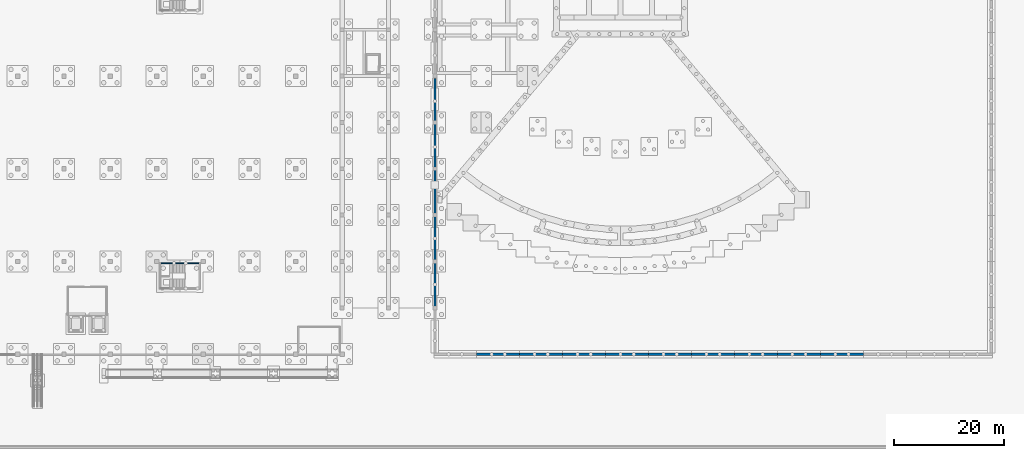
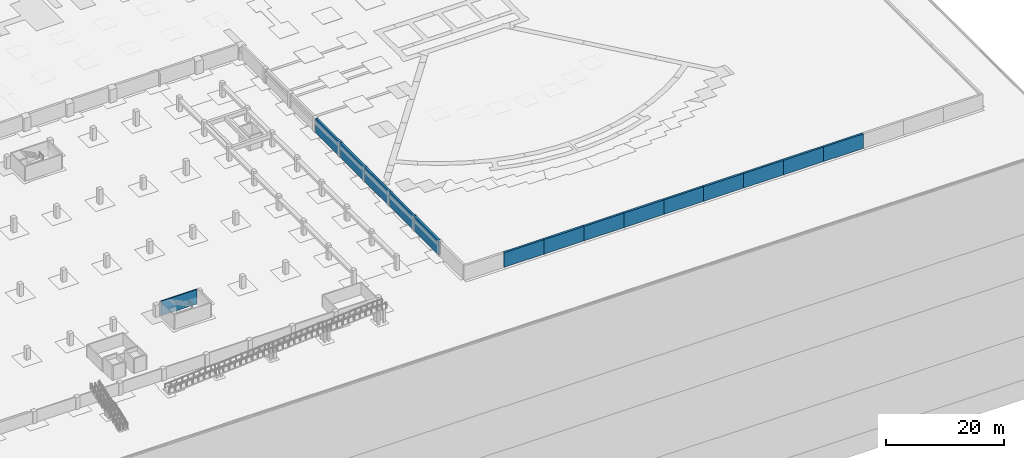
# One storey, part 39 of 67: 15 walls.
"""IFC4 building model written with IfcOpenShell, lengths in metres."""

from ifc_helpers import new_model, si_unit, direction, frame, frame_2d, origin, place, context, subcontext, project, spatial, rectangle, extrude, material, layer, layer_set, type_object, element, save


model = new_model("IFC4")

# Units and contexts
model_context = context("Model", 3, precision=1e-05, world=origin(), true_north=direction((0.0, 1.0)))
body_context = subcontext(model_context, "Body", "Model", "MODEL_VIEW")
ifc_project = project(units=[si_unit("LENGTHUNIT", "METRE"), si_unit("AREAUNIT", "SQUARE_METRE"), si_unit("VOLUMEUNIT", "CUBIC_METRE"), si_unit("PLANEANGLEUNIT", "RADIAN"), si_unit("MASSUNIT", "GRAM", prefix="KILO")], contexts=[model_context])

# Site, building, storey
site_placement = place(None, origin())
site = spatial("IfcSite", under=ifc_project, at=site_placement, CompositionType="ELEMENT")
building_placement = place(site_placement, origin())
building = spatial("IfcBuilding", under=site, at=building_placement, Name="Rain Tree Exposition and Congress Centre", CompositionType="ELEMENT")
storey_placement = place(building_placement, frame((0.0, 0.0, -3.0)))
storey = spatial("IfcBuildingStorey", under=building, at=storey_placement, Name="B1", CompositionType="ELEMENT", Elevation=-3.0)

# Walls
ifc_material_1 = material(Name="Concrete C40/50", Category="concrete")
ifc_layer_1 = layer(ifc_material_1, 0.199951171875)
ifc_layer_set_1 = layer_set([ifc_layer_1], Name="Concrete C40/50")
wall_type_1 = type_object("IfcWallType", Name="Exit stair wall 200", PredefinedType="PARTITIONING", material=ifc_layer_set_1)
wall_1_placement = place(storey_placement, frame((118.300048828125, 16.5, 0.0), z_axis=(0.0, 0.0, 1.0), x_axis=(1.0, 0.0, 0.0)))
element("IfcWall", 1, at=wall_1_placement, inside=storey, type_object=wall_type_1, Name="Exit stair E2 wall north", PredefinedType="SOLIDWALL", context=body_context, shape_type="SweptSolid", body=[
    extrude(rectangle(XDim=7.0, YDim=0.199951171875, at=frame_2d((3.5, 0.0))), origin(), (0.0, 0.0, 1.0), 3.0),
])
ifc_material_2 = material(Name="Concrete C40/50", Category="concrete")
ifc_layer_2 = layer(ifc_material_2, 0.39990234375)
ifc_layer_set_2 = layer_set([ifc_layer_2], Name="Concrete C40/50")
wall_type_2 = type_object("IfcWallType", Name="Precast retaining wall 400", PredefinedType="SOLIDWALL", material=ifc_layer_set_2)
for number, where, z_axis, x_axis, name in (
    (2, (168.0, 8.5, 0.0), (0.0, 0.0, 1.0), (0.0, 1.0, 0.0), "Retaining wall 002"),
    (3, (168.0, 16.800048828125, 0.0), (0.0, 0.0, 1.0), (0.0, 1.0, 0.0), "Retaining wall 003"),
):
    element("IfcWall", number, at=place(storey_placement, frame(where, z_axis=z_axis, x_axis=x_axis)), inside=storey, type_object=wall_type_2, Name=name, PredefinedType="SOLIDWALL", context=body_context, shape_type="SweptSolid", body=[
        extrude(rectangle(XDim=8.300048828125, YDim=0.39990234375, at=frame_2d((4.14990234375, 0.0))), origin(), (0.0, 0.0, 1.0), 3.0),
    ])
wall_2_placement = place(storey_placement, frame((168.0, 25.10009765625, 0.0), z_axis=(0.0, 0.0, 1.0), x_axis=(0.0, 1.0, 0.0)))
element("IfcWall", 4, at=wall_2_placement, inside=storey, type_object=wall_type_2, Name="Retaining wall 004", PredefinedType="SOLIDWALL", context=body_context, shape_type="SweptSolid", body=[
    extrude(rectangle(XDim=8.2998046875, YDim=0.39990234375, at=frame_2d((4.14990234375, 0.0))), origin(), (0.0, 0.0, 1.0), 3.0),
])
for number, where, z_axis, x_axis, name in (
    (5, (168.0, 33.39990234375, 0.0), (0.0, 0.0, 1.0), (0.0, 1.0, 0.0), "Retaining wall 005"),
    (6, (168.0, 41.699951171875, 0.0), (0.0, 0.0, 1.0), (0.0, 1.0, 0.0), "Retaining wall 006"),
):
    element("IfcWall", number, at=place(storey_placement, frame(where, z_axis=z_axis, x_axis=x_axis)), inside=storey, type_object=wall_type_2, Name=name, PredefinedType="SOLIDWALL", context=body_context, shape_type="SweptSolid", body=[
        extrude(rectangle(XDim=8.300048828125, YDim=0.39990234375, at=frame_2d((4.14990234375, 0.0))), origin(), (0.0, 0.0, 1.0), 3.0),
    ])
for number, where, z_axis, x_axis, name in (
    (7, (245.646240234375, 0.0, 0.0), (0.0, 0.0, 1.0), (-1.0, 0.0, 0.0), "Retaining wall 110"),
    (8, (237.861572265625, 0.0, 0.0), (0.0, 0.0, 1.0), (-1.0, 0.0, 0.0), "Retaining wall 111"),
    (9, (230.076904296875, 0.0, 0.0), (0.0, 0.0, 1.0), (-1.0, 0.0, 0.0), "Retaining wall 112"),
):
    element("IfcWall", number, at=place(storey_placement, frame(where, z_axis=z_axis, x_axis=x_axis)), inside=storey, type_object=wall_type_2, Name=name, PredefinedType="SOLIDWALL", context=body_context, shape_type="SweptSolid", body=[
        extrude(rectangle(XDim=7.78466796875, YDim=0.39990234375, at=frame_2d((3.892333984375, 0.0))), origin(), (0.0, 0.0, 1.0), 3.0),
    ])
wall_3_placement = place(storey_placement, frame((222.292236328125, 0.0, 0.0), z_axis=(0.0, 0.0, 1.0), x_axis=(-1.0, 0.0, 0.0)))
element("IfcWall", 10, at=wall_3_placement, inside=storey, type_object=wall_type_2, Name="Retaining wall 113", PredefinedType="SOLIDWALL", context=body_context, shape_type="SweptSolid", body=[
    extrude(rectangle(XDim=7.784423828125, YDim=0.39990234375, at=frame_2d((3.89208984375, 0.0))), origin(), (0.0, 0.0, 1.0), 3.0),
])
for number, where, z_axis, x_axis, name in (
    (11, (214.5078125, 0.0, 0.0), (0.0, 0.0, 1.0), (-1.0, 0.0, 0.0), "Retaining wall 114"),
    (12, (206.72314453125, 0.0, 0.0), (0.0, 0.0, 1.0), (-1.0, 0.0, 0.0), "Retaining wall 115"),
    (13, (198.9384765625, 0.0, 0.0), (0.0, 0.0, 1.0), (-1.0, 0.0, 0.0), "Retaining wall 116"),
    (14, (191.15380859375, 0.0, 0.0), (0.0, 0.0, 1.0), (-1.0, 0.0, 0.0), "Retaining wall 117"),
):
    element("IfcWall", number, at=place(storey_placement, frame(where, z_axis=z_axis, x_axis=x_axis)), inside=storey, type_object=wall_type_2, Name=name, PredefinedType="SOLIDWALL", context=body_context, shape_type="SweptSolid", body=[
        extrude(rectangle(XDim=7.78466796875, YDim=0.39990234375, at=frame_2d((3.892333984375, 0.0))), origin(), (0.0, 0.0, 1.0), 3.0),
    ])
wall_4_placement = place(storey_placement, frame((183.369140625, 0.0, 0.0), z_axis=(0.0, 0.0, 1.0), x_axis=(-1.0, 0.0, 0.0)))
element("IfcWall", 15, at=wall_4_placement, inside=storey, type_object=wall_type_2, Name="Retaining wall 118", PredefinedType="SOLIDWALL", context=body_context, shape_type="SweptSolid", body=[
    extrude(rectangle(XDim=7.784423828125, YDim=0.39990234375, at=frame_2d((3.89208984375, 0.0))), origin(), (0.0, 0.0, 1.0), 3.0),
])

save(model, "model.ifc")
